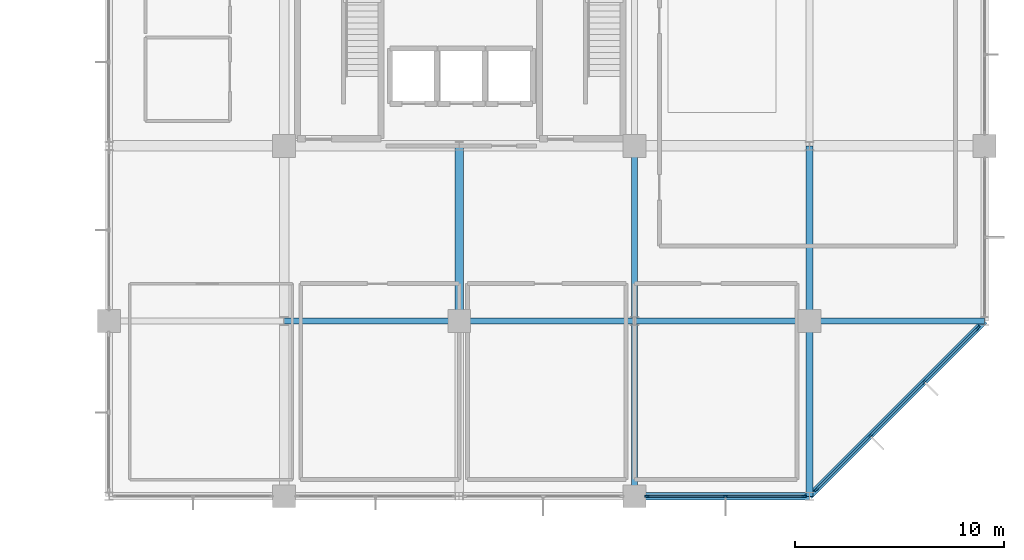
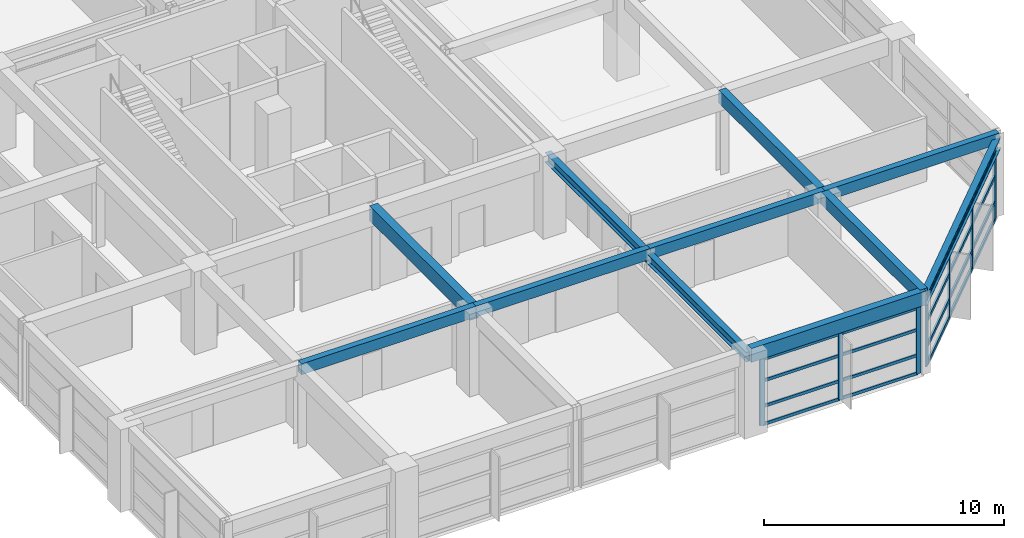
# One storey, part 7 of 19: 27 members, 11 beams, 2 elements without a shape of their own.
"""IFC4 building model written with IfcOpenShell, lengths in metres."""

from ifc_helpers import new_model, si_unit, direction, frame, origin, origin_2d, place, context, subcontext, project, spatial, rectangle, i_section, extrude, material, material_profile, profile_set, type_object, element, aggregate, save


model = new_model("IFC4")

# Units and contexts
model_context = context("Model", 3, precision=1e-05, world=origin(), true_north=direction((0.0, 1.0)))
body_context = subcontext(model_context, "Body", "Model", "MODEL_VIEW")
ifc_project = project(units=[si_unit("LENGTHUNIT", "METRE"), si_unit("AREAUNIT", "SQUARE_METRE"), si_unit("VOLUMEUNIT", "CUBIC_METRE"), si_unit("PLANEANGLEUNIT", "RADIAN"), si_unit("MASSUNIT", "GRAM", prefix="KILO")], contexts=[model_context])

# Site, building, storey
site_placement = place(None, origin())
site = spatial("IfcSite", under=ifc_project, at=site_placement, CompositionType="ELEMENT")
building_placement = place(site_placement, origin())
building = spatial("IfcBuilding", under=site, at=building_placement, Name="Xuanlan Plaza Opera House", CompositionType="ELEMENT")
storey_placement = place(building_placement, frame((0.0, 0.0, 36.300048828125)))
storey = spatial("IfcBuildingStorey", under=building, at=storey_placement, Name="L08", CompositionType="ELEMENT", Elevation=36.300048828125)

# Curtain wall, members
ifc_material_1 = material(Name="Anodised Aluminium 6063-T6 and Low-E Glass", Category="aluminium")
curtain_wall_type_1 = type_object("IfcCurtainWallType", Name="ENV-CW-CW-02", PredefinedType="USERDEFINED", material=ifc_material_1)
curtain_wall_1_placement = place(storey_placement, origin())
curtain_wall_1 = element("IfcCurtainWall", 1, at=curtain_wall_1_placement, inside=storey, type_object=curtain_wall_type_1, Name="Unitised Curtain Wall L08-004", ObjectType="UNITISED CURTAIN WALL", PredefinedType="USERDEFINED")
ifc_material_2 = material(Name="Anodised Aluminium 6063-T6", Category="aluminium")
ifc_material_profile_1 = material_profile(ifc_material_2, rectangle(XDim=0.080078125, YDim=0.219970703125, at=origin_2d()), Name="ALU-M 80x220")
ifc_profile_set_1 = profile_set([ifc_material_profile_1], Name="Anodised Aluminium 6063-T6")
member_type_1 = type_object("IfcMemberType", Name="ENV-CWM-04", PredefinedType="MULLION", material=ifc_profile_set_1)
member_1_placement = place(storey_placement, frame((151.81005859375, 33.60009765625, 0.0), z_axis=(0.0, 0.0, 1.0), x_axis=(0.0, 1.0, 0.0)))
member_1 = element("IfcMember", 2, at=member_1_placement, type_object=member_type_1, Name="CW-02 mullion 1", PredefinedType="MULLION", context=body_context, shape_type="SweptSolid", body=[
    extrude(rectangle(XDim=0.080078125, YDim=0.219970703125, at=origin_2d()), origin(), (0.0, 0.0, 1.0), 3.3798828125),
])
member_2_placement = place(storey_placement, frame((155.574951171875, 33.60009765625, 0.0), z_axis=(0.0, 0.0, 1.0), x_axis=(0.0, 1.0, 0.0)))
member_2 = element("IfcMember", 3, at=member_2_placement, type_object=member_type_1, Name="CW-02 mullion 2", PredefinedType="MULLION", context=body_context, shape_type="SweptSolid", body=[
    extrude(rectangle(XDim=0.080078125, YDim=0.219970703125, at=origin_2d()), origin(), (0.0, 0.0, 1.0), 3.3798828125),
])
member_3_placement = place(storey_placement, frame((159.340087890625, 33.60009765625, 0.0), z_axis=(0.0, 0.0, 1.0), x_axis=(0.0, 1.0, 0.0)))
member_3 = element("IfcMember", 4, at=member_3_placement, type_object=member_type_1, Name="CW-02 mullion 3", PredefinedType="MULLION", context=body_context, shape_type="SweptSolid", body=[
    extrude(rectangle(XDim=0.080078125, YDim=0.219970703125, at=origin_2d()), origin(), (0.0, 0.0, 1.0), 3.3798828125),
])

curtain_wall_type_2 = type_object("IfcCurtainWallType", Name="ENV-CW-CW-03", PredefinedType="USERDEFINED", material=ifc_material_1)
curtain_wall_2_placement = place(storey_placement, origin())
curtain_wall_2 = element("IfcCurtainWall", 5, at=curtain_wall_2_placement, inside=storey, type_object=curtain_wall_type_2, Name="Unitised Curtain Wall L08-005", ObjectType="UNITISED CURTAIN WALL", PredefinedType="USERDEFINED")
ifc_material_profile_2 = material_profile(ifc_material_2, rectangle(XDim=0.090087890625, YDim=0.25, at=origin_2d()), Name="ALU-M 90x250")
ifc_profile_set_2 = profile_set([ifc_material_profile_2], Name="Anodised Aluminium 6063-T6")
member_type_2 = type_object("IfcMemberType", Name="ENV-CWM-05", PredefinedType="MULLION", material=ifc_profile_set_2)
member_4_placement = place(storey_placement, frame((159.930908203125, 33.930908203125, 0.0), z_axis=(0.0, 0.0, 1.0), x_axis=(-0.707106781187, 0.707106781187, 0.0)))
member_4 = element("IfcMember", 6, at=member_4_placement, type_object=member_type_2, Name="CW-03 mullion 1", PredefinedType="MULLION", context=body_context, shape_type="SweptSolid", body=[
    extrude(rectangle(XDim=0.090087890625, YDim=0.25, at=origin_2d()), origin(), (0.0, 0.0, 1.0), 3.3798828125),
])
member_5_placement = place(storey_placement, frame((162.499755859375, 36.499755859375, 0.0), z_axis=(0.0, 0.0, 1.0), x_axis=(-0.707106781187, 0.707106781187, 0.0)))
member_5 = element("IfcMember", 7, at=member_5_placement, type_object=member_type_2, Name="CW-03 mullion 2", PredefinedType="MULLION", context=body_context, shape_type="SweptSolid", body=[
    extrude(rectangle(XDim=0.090087890625, YDim=0.25, at=origin_2d()), origin(), (0.0, 0.0, 1.0), 3.3798828125),
])
member_6_placement = place(storey_placement, frame((165.100341796875, 39.100341796875, 0.0), z_axis=(0.0, 0.0, 1.0), x_axis=(-0.707106781187, 0.707106781187, 0.0)))
member_6 = element("IfcMember", 8, at=member_6_placement, type_object=member_type_2, Name="CW-03 mullion 3", PredefinedType="MULLION", context=body_context, shape_type="SweptSolid", body=[
    extrude(rectangle(XDim=0.090087890625, YDim=0.25, at=origin_2d()), origin(), (0.0, 0.0, 1.0), 3.3798828125),
])
member_7_placement = place(storey_placement, frame((167.669189453125, 41.669189453125, 0.0), z_axis=(0.0, 0.0, 1.0), x_axis=(-0.707106781187, 0.707106781187, 0.0)))
member_7 = element("IfcMember", 9, at=member_7_placement, type_object=member_type_2, Name="CW-03 mullion 4", PredefinedType="MULLION", context=body_context, shape_type="SweptSolid", body=[
    extrude(rectangle(XDim=0.090087890625, YDim=0.25, at=origin_2d()), origin(), (0.0, 0.0, 1.0), 3.3798828125),
])

# Member
ifc_material_profile_3 = material_profile(ifc_material_2, rectangle(XDim=0.074951171875, YDim=0.14990234375, at=origin_2d()), Name="ALU-T 75x150")
ifc_profile_set_3 = profile_set([ifc_material_profile_3], Name="Anodised Aluminium 6063-T6")
member_type_3 = type_object("IfcMemberType", Name="ENV-CWT-03", PredefinedType="USERDEFINED", material=ifc_profile_set_3)
member_8_placement = place(storey_placement, frame((151.85009765625, 33.60009765625, 0.037353515625), z_axis=(1.0, 0.0, 0.0), x_axis=(0.0, 1.0, 0.0)))
member_8 = element("IfcMember", 10, at=member_8_placement, type_object=member_type_3, Name="CW-02 transom 1.1", ObjectType="TRANSOM", PredefinedType="USERDEFINED", context=body_context, shape_type="SweptSolid", body=[
    extrude(rectangle(XDim=0.074951171875, YDim=0.14990234375, at=origin_2d()), origin(), (0.0, 0.0, 1.0), 3.684814453125),
])

member_9_placement = place(storey_placement, frame((151.85009765625, 33.60009765625, 0.949951171875), z_axis=(1.0, 0.0, 0.0), x_axis=(0.0, 1.0, 0.0)))
member_9 = element("IfcMember", 11, at=member_9_placement, type_object=member_type_3, Name="CW-02 transom 1.2", ObjectType="TRANSOM", PredefinedType="USERDEFINED", context=body_context, shape_type="SweptSolid", body=[
    extrude(rectangle(XDim=0.074951171875, YDim=0.14990234375, at=origin_2d()), origin(), (0.0, 0.0, 1.0), 3.684814453125),
])

member_10_placement = place(storey_placement, frame((151.85009765625, 33.60009765625, 2.25), z_axis=(1.0, 0.0, 0.0), x_axis=(0.0, 1.0, 0.0)))
member_10 = element("IfcMember", 12, at=member_10_placement, type_object=member_type_3, Name="CW-02 transom 1.3", ObjectType="TRANSOM", PredefinedType="USERDEFINED", context=body_context, shape_type="SweptSolid", body=[
    extrude(rectangle(XDim=0.074951171875, YDim=0.14990234375, at=origin_2d()), origin(), (0.0, 0.0, 1.0), 3.684814453125),
])

member_11_placement = place(storey_placement, frame((151.85009765625, 33.60009765625, 3.342529296875), z_axis=(1.0, 0.0, 0.0), x_axis=(0.0, 1.0, 0.0)))
member_11 = element("IfcMember", 13, at=member_11_placement, type_object=member_type_3, Name="CW-02 transom 1.4", ObjectType="TRANSOM", PredefinedType="USERDEFINED", context=body_context, shape_type="SweptSolid", body=[
    extrude(rectangle(XDim=0.074951171875, YDim=0.14990234375, at=origin_2d()), origin(), (0.0, 0.0, 1.0), 3.684814453125),
])

member_12_placement = place(storey_placement, frame((155.614990234375, 33.60009765625, 0.037353515625), z_axis=(1.0, 0.0, 0.0), x_axis=(0.0, 1.0, 0.0)))
member_12 = element("IfcMember", 14, at=member_12_placement, type_object=member_type_3, Name="CW-02 transom 2.1", ObjectType="TRANSOM", PredefinedType="USERDEFINED", context=body_context, shape_type="SweptSolid", body=[
    extrude(rectangle(XDim=0.074951171875, YDim=0.14990234375, at=origin_2d()), origin(), (0.0, 0.0, 1.0), 3.68505859375),
])

member_13_placement = place(storey_placement, frame((155.614990234375, 33.60009765625, 0.949951171875), z_axis=(1.0, 0.0, 0.0), x_axis=(0.0, 1.0, 0.0)))
member_13 = element("IfcMember", 15, at=member_13_placement, type_object=member_type_3, Name="CW-02 transom 2.2", ObjectType="TRANSOM", PredefinedType="USERDEFINED", context=body_context, shape_type="SweptSolid", body=[
    extrude(rectangle(XDim=0.074951171875, YDim=0.14990234375, at=origin_2d()), origin(), (0.0, 0.0, 1.0), 3.68505859375),
])

member_14_placement = place(storey_placement, frame((155.614990234375, 33.60009765625, 2.25), z_axis=(1.0, 0.0, 0.0), x_axis=(0.0, 1.0, 0.0)))
member_14 = element("IfcMember", 16, at=member_14_placement, type_object=member_type_3, Name="CW-02 transom 2.3", ObjectType="TRANSOM", PredefinedType="USERDEFINED", context=body_context, shape_type="SweptSolid", body=[
    extrude(rectangle(XDim=0.074951171875, YDim=0.14990234375, at=origin_2d()), origin(), (0.0, 0.0, 1.0), 3.68505859375),
])

member_15_placement = place(storey_placement, frame((155.614990234375, 33.60009765625, 3.342529296875), z_axis=(1.0, 0.0, 0.0), x_axis=(0.0, 1.0, 0.0)))
member_15 = element("IfcMember", 17, at=member_15_placement, type_object=member_type_3, Name="CW-02 transom 2.4", ObjectType="TRANSOM", PredefinedType="USERDEFINED", context=body_context, shape_type="SweptSolid", body=[
    extrude(rectangle(XDim=0.074951171875, YDim=0.14990234375, at=origin_2d()), origin(), (0.0, 0.0, 1.0), 3.68505859375),
])

aggregate(curtain_wall_1, [member_1, member_2, member_3, member_8, member_9, member_10, member_11, member_12, member_13, member_14, member_15])

ifc_material_profile_4 = material_profile(ifc_material_2, rectangle(XDim=0.090087890625, YDim=0.179931640625, at=origin_2d()), Name="ALU-T 90x180")
ifc_profile_set_4 = profile_set([ifc_material_profile_4], Name="Anodised Aluminium 6063-T6")
member_type_4 = type_object("IfcMemberType", Name="ENV-CWT-05", PredefinedType="USERDEFINED", material=ifc_profile_set_4)
member_16_placement = place(storey_placement, frame((159.962646484375, 33.962646484375, 0.044921875), z_axis=(0.707106781187, 0.707106781187, 0.0), x_axis=(-0.707106781187, 0.707106781187, 0.0)))
member_16 = element("IfcMember", 18, at=member_16_placement, type_object=member_type_4, Name="CW-03 transom 1.1", ObjectType="TRANSOM", PredefinedType="USERDEFINED", context=body_context, shape_type="SweptSolid", body=[
    extrude(rectangle(XDim=0.090087890625, YDim=0.179931640625, at=origin_2d()), origin(), (0.0, 0.0, 1.0), 3.542724609375),
])

member_17_placement = place(storey_placement, frame((159.962646484375, 33.962646484375, 0.949951171875), z_axis=(0.707106781187, 0.707106781187, 0.0), x_axis=(-0.707106781187, 0.707106781187, 0.0)))
member_17 = element("IfcMember", 19, at=member_17_placement, type_object=member_type_4, Name="CW-03 transom 1.2", ObjectType="TRANSOM", PredefinedType="USERDEFINED", context=body_context, shape_type="SweptSolid", body=[
    extrude(rectangle(XDim=0.090087890625, YDim=0.179931640625, at=origin_2d()), origin(), (0.0, 0.0, 1.0), 3.542724609375),
])

member_18_placement = place(storey_placement, frame((159.962646484375, 33.962646484375, 2.25), z_axis=(0.707106781187, 0.707106781187, 0.0), x_axis=(-0.707106781187, 0.707106781187, 0.0)))
member_18 = element("IfcMember", 20, at=member_18_placement, type_object=member_type_4, Name="CW-03 transom 1.3", ObjectType="TRANSOM", PredefinedType="USERDEFINED", context=body_context, shape_type="SweptSolid", body=[
    extrude(rectangle(XDim=0.090087890625, YDim=0.179931640625, at=origin_2d()), origin(), (0.0, 0.0, 1.0), 3.542724609375),
])

member_19_placement = place(storey_placement, frame((159.962646484375, 33.962646484375, 3.3349609375), z_axis=(0.707106781187, 0.707106781187, 0.0), x_axis=(-0.707106781187, 0.707106781187, 0.0)))
member_19 = element("IfcMember", 21, at=member_19_placement, type_object=member_type_4, Name="CW-03 transom 1.4", ObjectType="TRANSOM", PredefinedType="USERDEFINED", context=body_context, shape_type="SweptSolid", body=[
    extrude(rectangle(XDim=0.090087890625, YDim=0.179931640625, at=origin_2d()), origin(), (0.0, 0.0, 1.0), 3.542724609375),
])

member_20_placement = place(storey_placement, frame((162.531494140625, 36.531494140625, 0.044921875), z_axis=(0.707106781187, 0.707106781187, 0.0), x_axis=(-0.707106781187, 0.707106781187, 0.0)))
member_20 = element("IfcMember", 22, at=member_20_placement, type_object=member_type_4, Name="CW-03 transom 2.1", ObjectType="TRANSOM", PredefinedType="USERDEFINED", context=body_context, shape_type="SweptSolid", body=[
    extrude(rectangle(XDim=0.090087890625, YDim=0.179931640625, at=origin_2d()), origin(), (0.0, 0.0, 1.0), 3.588134765625),
])

member_21_placement = place(storey_placement, frame((162.531494140625, 36.531494140625, 0.949951171875), z_axis=(0.707106781187, 0.707106781187, 0.0), x_axis=(-0.707106781187, 0.707106781187, 0.0)))
member_21 = element("IfcMember", 23, at=member_21_placement, type_object=member_type_4, Name="CW-03 transom 2.2", ObjectType="TRANSOM", PredefinedType="USERDEFINED", context=body_context, shape_type="SweptSolid", body=[
    extrude(rectangle(XDim=0.090087890625, YDim=0.179931640625, at=origin_2d()), origin(), (0.0, 0.0, 1.0), 3.588134765625),
])

member_22_placement = place(storey_placement, frame((162.531494140625, 36.531494140625, 2.25), z_axis=(0.707106781187, 0.707106781187, 0.0), x_axis=(-0.707106781187, 0.707106781187, 0.0)))
member_22 = element("IfcMember", 24, at=member_22_placement, type_object=member_type_4, Name="CW-03 transom 2.3", ObjectType="TRANSOM", PredefinedType="USERDEFINED", context=body_context, shape_type="SweptSolid", body=[
    extrude(rectangle(XDim=0.090087890625, YDim=0.179931640625, at=origin_2d()), origin(), (0.0, 0.0, 1.0), 3.588134765625),
])

member_23_placement = place(storey_placement, frame((162.531494140625, 36.531494140625, 3.3349609375), z_axis=(0.707106781187, 0.707106781187, 0.0), x_axis=(-0.707106781187, 0.707106781187, 0.0)))
member_23 = element("IfcMember", 25, at=member_23_placement, type_object=member_type_4, Name="CW-03 transom 2.4", ObjectType="TRANSOM", PredefinedType="USERDEFINED", context=body_context, shape_type="SweptSolid", body=[
    extrude(rectangle(XDim=0.090087890625, YDim=0.179931640625, at=origin_2d()), origin(), (0.0, 0.0, 1.0), 3.588134765625),
])

member_24_placement = place(storey_placement, frame((165.132080078125, 39.132080078125, 0.044921875), z_axis=(0.707106781187, 0.707106781187, 0.0), x_axis=(-0.707106781187, 0.707106781187, 0.0)))
member_24 = element("IfcMember", 26, at=member_24_placement, type_object=member_type_4, Name="CW-03 transom 3.1", ObjectType="TRANSOM", PredefinedType="USERDEFINED", context=body_context, shape_type="SweptSolid", body=[
    extrude(rectangle(XDim=0.090087890625, YDim=0.179931640625, at=origin_2d()), origin(), (0.0, 0.0, 1.0), 3.543212890625),
])

member_25_placement = place(storey_placement, frame((165.132080078125, 39.132080078125, 0.949951171875), z_axis=(0.707106781187, 0.707106781187, 0.0), x_axis=(-0.707106781187, 0.707106781187, 0.0)))
member_25 = element("IfcMember", 27, at=member_25_placement, type_object=member_type_4, Name="CW-03 transom 3.2", ObjectType="TRANSOM", PredefinedType="USERDEFINED", context=body_context, shape_type="SweptSolid", body=[
    extrude(rectangle(XDim=0.090087890625, YDim=0.179931640625, at=origin_2d()), origin(), (0.0, 0.0, 1.0), 3.543212890625),
])

member_26_placement = place(storey_placement, frame((165.132080078125, 39.132080078125, 2.25), z_axis=(0.707106781187, 0.707106781187, 0.0), x_axis=(-0.707106781187, 0.707106781187, 0.0)))
member_26 = element("IfcMember", 28, at=member_26_placement, type_object=member_type_4, Name="CW-03 transom 3.3", ObjectType="TRANSOM", PredefinedType="USERDEFINED", context=body_context, shape_type="SweptSolid", body=[
    extrude(rectangle(XDim=0.090087890625, YDim=0.179931640625, at=origin_2d()), origin(), (0.0, 0.0, 1.0), 3.543212890625),
])

member_27_placement = place(storey_placement, frame((165.132080078125, 39.132080078125, 3.3349609375), z_axis=(0.707106781187, 0.707106781187, 0.0), x_axis=(-0.707106781187, 0.707106781187, 0.0)))
member_27 = element("IfcMember", 29, at=member_27_placement, type_object=member_type_4, Name="CW-03 transom 3.4", ObjectType="TRANSOM", PredefinedType="USERDEFINED", context=body_context, shape_type="SweptSolid", body=[
    extrude(rectangle(XDim=0.090087890625, YDim=0.179931640625, at=origin_2d()), origin(), (0.0, 0.0, 1.0), 3.543212890625),
])

aggregate(curtain_wall_2, [member_4, member_5, member_6, member_7, member_16, member_17, member_18, member_19, member_20, member_21, member_22, member_23, member_24, member_25, member_26, member_27])

# Beams
ifc_material_3 = material(Name="Concrete C40", Category="concrete")
ifc_material_profile_5 = material_profile(ifc_material_3, rectangle(XDim=0.39990234375, YDim=0.75, at=origin_2d()), Name="RC-BM 400x750")
ifc_profile_set_5 = profile_set([ifc_material_profile_5], Name="Concrete C40")
beam_type_1 = type_object("IfcBeamType", Name="STR-BM-B-06", PredefinedType="BEAM", material=ifc_profile_set_5)
beam_1_placement = place(storey_placement, frame((142.800048828125, 42.0, 3.824951171875), z_axis=(0.0, 1.0, 0.0), x_axis=(-1.0, 0.0, 0.0)))
element("IfcBeam", 30, at=beam_1_placement, inside=storey, type_object=beam_type_1, Name="Grid Beam Y L08 18/F-G", PredefinedType="BEAM", context=body_context, shape_type="SweptSolid", body=[
    extrude(rectangle(XDim=0.39990234375, YDim=0.75, at=origin_2d()), origin(), (0.0, 0.0, 1.0), 8.39990234375),
])
ifc_material_profile_6 = material_profile(ifc_material_3, rectangle(XDim=0.35009765625, YDim=0.64990234375, at=origin_2d()), Name="RC-BM 350x650")
ifc_profile_set_6 = profile_set([ifc_material_profile_6], Name="Concrete C40")
beam_type_2 = type_object("IfcBeamType", Name="STR-BM-B-08", PredefinedType="BEAM", material=ifc_profile_set_6)
for number, where, z_axis, x_axis, name in (
    (31, (159.60009765625, 33.60009765625, 3.875), (0.0, 1.0, 0.0), (-1.0, 0.0, 0.0), "Grid Beam Y L08 20/E-F"),
    (32, (159.60009765625, 42.0, 3.875), (0.0, 1.0, 0.0), (-1.0, 0.0, 0.0), "Grid Beam Y L08 20/F-G"),
):
    element("IfcBeam", number, at=place(storey_placement, frame(where, z_axis=z_axis, x_axis=x_axis)), inside=storey, type_object=beam_type_2, Name=name, PredefinedType="BEAM", context=body_context, shape_type="SweptSolid", body=[
        extrude(rectangle(XDim=0.35009765625, YDim=0.64990234375, at=origin_2d()), origin(), (0.0, 0.0, 1.0), 8.39990234375),
    ])
ifc_material_profile_7 = material_profile(ifc_material_3, rectangle(XDim=0.300048828125, YDim=0.550048828125, at=origin_2d()), Name="RC-BM 300x550")
ifc_profile_set_7 = profile_set([ifc_material_profile_7], Name="Concrete C40")
beam_type_3 = type_object("IfcBeamType", Name="STR-BM-B-09", PredefinedType="BEAM", material=ifc_profile_set_7)
beam_2_placement = place(storey_placement, frame((134.39990234375, 42.0, 3.925048828125), z_axis=(1.0, 0.0, 0.0), x_axis=(0.0, 1.0, 0.0)))
element("IfcBeam", 33, at=beam_2_placement, inside=storey, type_object=beam_type_3, Name="Grid Beam X L08 17-18/F", PredefinedType="BEAM", context=body_context, shape_type="SweptSolid", body=[
    extrude(rectangle(XDim=0.300048828125, YDim=0.550048828125, at=origin_2d()), origin(), (0.0, 0.0, 1.0), 8.400146484375),
])
beam_3_placement = place(storey_placement, frame((142.800048828125, 42.0, 3.925048828125), z_axis=(1.0, 0.0, 0.0), x_axis=(0.0, 1.0, 0.0)))
element("IfcBeam", 34, at=beam_3_placement, inside=storey, type_object=beam_type_3, Name="Grid Beam X L08 18-19/F", PredefinedType="BEAM", context=body_context, shape_type="SweptSolid", body=[
    extrude(rectangle(XDim=0.300048828125, YDim=0.550048828125, at=origin_2d()), origin(), (0.0, 0.0, 1.0), 8.39990234375),
])
beam_4_placement = place(storey_placement, frame((151.199951171875, 42.0, 3.925048828125), z_axis=(1.0, 0.0, 0.0), x_axis=(0.0, 1.0, 0.0)))
element("IfcBeam", 35, at=beam_4_placement, inside=storey, type_object=beam_type_3, Name="Grid Beam X L08 19-20/F", PredefinedType="BEAM", context=body_context, shape_type="SweptSolid", body=[
    extrude(rectangle(XDim=0.300048828125, YDim=0.550048828125, at=origin_2d()), origin(), (0.0, 0.0, 1.0), 8.400146484375),
])
beam_5_placement = place(storey_placement, frame((159.60009765625, 42.0, 3.925048828125), z_axis=(1.0, 0.0, 0.0), x_axis=(0.0, 1.0, 0.0)))
element("IfcBeam", 36, at=beam_5_placement, inside=storey, type_object=beam_type_3, Name="Grid Beam X L08 20-21/F", PredefinedType="BEAM", context=body_context, shape_type="SweptSolid", body=[
    extrude(rectangle(XDim=0.300048828125, YDim=0.550048828125, at=origin_2d()), origin(), (0.0, 0.0, 1.0), 8.39990234375),
])
ifc_material_4 = material(Name="Steel Q355B", Category="steel")
ifc_material_profile_8 = material_profile(ifc_material_4, i_section(OverallWidth=0.300048828125, OverallDepth=0.488037109375, WebThickness=0.010986328125, FlangeThickness=0.01806640625, FilletRadius=0.02197265625, at=origin_2d()), Name="HM 488x300x11x18")
ifc_profile_set_8 = profile_set([ifc_material_profile_8], Name="Steel Q355B")
beam_type_4 = type_object("IfcBeamType", Name="STR-BM-SB-07", PredefinedType="BEAM", material=ifc_profile_set_8)
for number, where, z_axis, x_axis, name in (
    (37, (151.199951171875, 33.60009765625, 3.7109375), (0.0, 1.0, 0.0), (-1.0, 0.0, 0.0), "Grid Beam Y L08 19/E-F"),
    (38, (151.199951171875, 42.0, 3.7109375), (0.0, 1.0, 0.0), (-1.0, 0.0, 0.0), "Grid Beam Y L08 19/F-G"),
):
    element("IfcBeam", number, at=place(storey_placement, frame(where, z_axis=z_axis, x_axis=x_axis)), inside=storey, type_object=beam_type_4, Name=name, PredefinedType="BEAM", context=body_context, shape_type="SweptSolid", body=[
        extrude(i_section(OverallWidth=0.300048828125, OverallDepth=0.488037109375, WebThickness=0.010986328125, FlangeThickness=0.01806640625, FilletRadius=0.02197265625, at=origin_2d()), origin(), (0.0, 0.0, 1.0), 8.39990234375),
    ])
ifc_material_profile_9 = material_profile(ifc_material_3, rectangle(XDim=0.35009765625, YDim=0.699951171875, at=origin_2d()), Name="RC-SPD 350x700")
ifc_profile_set_9 = profile_set([ifc_material_profile_9], Name="Concrete C40")
beam_type_5 = type_object("IfcBeamType", Name="STR-BM-SP-02", PredefinedType="SPANDREL", material=ifc_profile_set_9)
beam_6_placement = place(storey_placement, frame((151.199951171875, 33.60009765625, 3.849853515625), z_axis=(1.0, 0.0, 0.0), x_axis=(0.0, 1.0, 0.0)))
element("IfcBeam", 39, at=beam_6_placement, inside=storey, type_object=beam_type_5, Name="Grid Beam X L08 19-20/E", PredefinedType="SPANDREL", context=body_context, shape_type="SweptSolid", body=[
    extrude(rectangle(XDim=0.35009765625, YDim=0.699951171875, at=origin_2d()), origin(), (0.0, 0.0, 1.0), 8.400146484375),
])
ifc_material_profile_10 = material_profile(ifc_material_4, i_section(OverallWidth=0.300048828125, OverallDepth=0.587890625, WebThickness=0.011962890625, FlangeThickness=0.02001953125, FilletRadius=0.02392578125, at=origin_2d()), Name="HM 588x300x12x20")
ifc_profile_set_10 = profile_set([ifc_material_profile_10], Name="Steel Q355B")
beam_type_6 = type_object("IfcBeamType", Name="STR-BM-SP-03", PredefinedType="SPANDREL", material=ifc_profile_set_10)
beam_7_placement = place(storey_placement, frame((159.60009765625, 33.60009765625, 3.660888671875), z_axis=(0.707106781187, 0.707106781187, 0.0), x_axis=(-0.707106781187, 0.707106781187, 0.0)))
element("IfcBeam", 40, at=beam_7_placement, inside=storey, type_object=beam_type_6, Name="Faceted Edge Spandrel L08 CH01", PredefinedType="SPANDREL", context=body_context, shape_type="SweptSolid", body=[
    extrude(i_section(OverallWidth=0.300048828125, OverallDepth=0.587890625, WebThickness=0.011962890625, FlangeThickness=0.02001953125, FilletRadius=0.02392578125, at=origin_2d()), origin(), (0.0, 0.0, 1.0), 11.879150390625),
])

save(model, "model.ifc")
